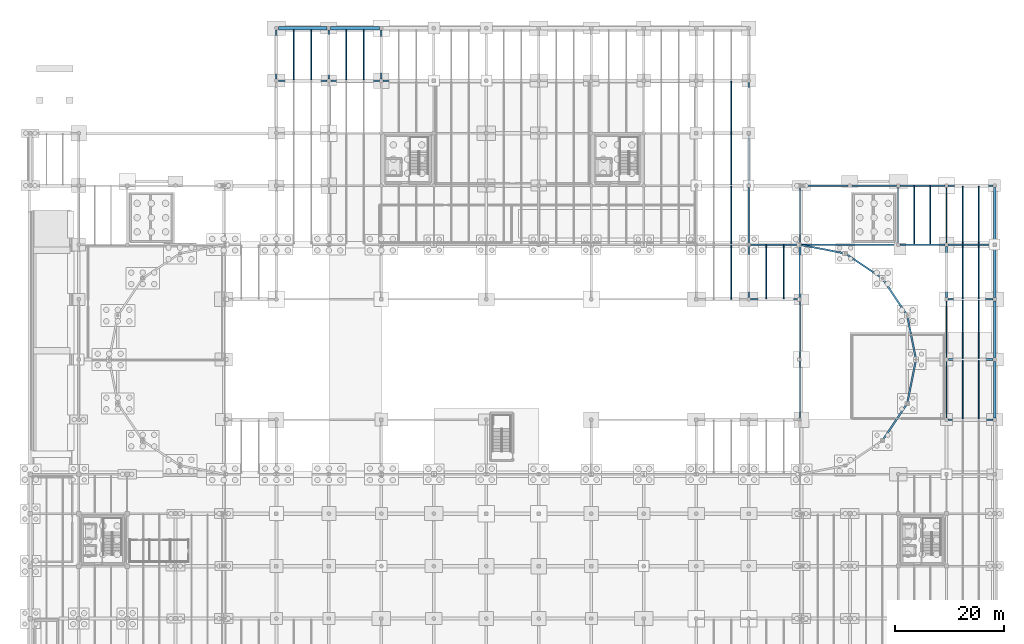
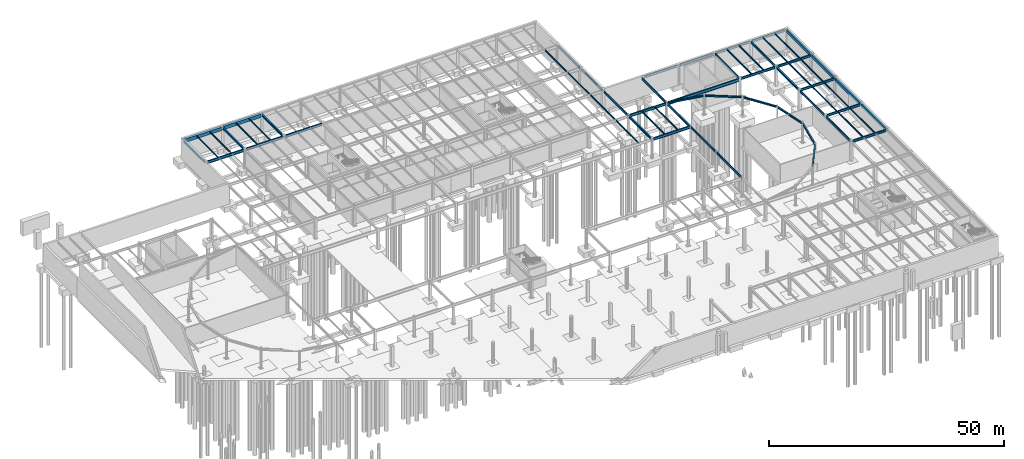
# One storey, part 36 of 50: 63 beams.
"""IFC4 building model written with IfcOpenShell, lengths in metres."""

from ifc_helpers import new_model, si_unit, direction, frame, origin, origin_2d, place, context, subcontext, project, spatial, rectangle, i_section, extrude, material, material_profile, profile_set, type_object, element, save


model = new_model("IFC4")

# Units and contexts
model_context = context("Model", 3, precision=1e-05, world=origin(), true_north=direction((0.0, 1.0)))
body_context = subcontext(model_context, "Body", "Model", "MODEL_VIEW")
ifc_project = project(units=[si_unit("LENGTHUNIT", "METRE"), si_unit("AREAUNIT", "SQUARE_METRE"), si_unit("VOLUMEUNIT", "CUBIC_METRE"), si_unit("PLANEANGLEUNIT", "RADIAN"), si_unit("MASSUNIT", "GRAM", prefix="KILO")], contexts=[model_context])

# Site, building, storey
site_placement = place(None, origin())
site = spatial("IfcSite", under=ifc_project, at=site_placement, CompositionType="ELEMENT")
building_placement = place(site_placement, origin())
building = spatial("IfcBuilding", under=site, at=building_placement, Name="Yeouljin Market Hall", CompositionType="ELEMENT")
storey_placement = place(building_placement, frame((0.0, 0.0, -5.39990234375)))
storey = spatial("IfcBuildingStorey", under=building, at=storey_placement, Name="B1", CompositionType="ELEMENT", Elevation=-5.39990234375)

# Beams
ifc_material_1 = material(Name="Steel SM355", Category="steel")
ifc_material_profile_1 = material_profile(ifc_material_1, i_section(OverallWidth=0.300048828125, OverallDepth=0.43994140625, WebThickness=0.010986328125, FlangeThickness=0.01806640625, FilletRadius=0.02001953125, at=origin_2d()), Name="H-440x300x11x18")
ifc_profile_set_1 = profile_set([ifc_material_profile_1], Name="Steel SM355")
beam_type_1 = type_object("IfcBeamType", Name="Beam_H-440x300x11x18", PredefinedType="BEAM", material=ifc_profile_set_1)
beam_1_placement = place(storey_placement, frame((155.962158203125, 42.31982421875, 4.8798828125), z_axis=(0.555575312274, 0.831466218431, 0.0), x_axis=(-0.831466218431, 0.555575312274, 0.0)))
element("IfcBeam", 1, at=beam_1_placement, inside=storey, type_object=beam_type_1, Name="Apse ring beam L00 278", PredefinedType="BEAM", context=body_context, shape_type="SweptSolid", body=[
    extrude(i_section(OverallWidth=0.300048828125, OverallDepth=0.43994140625, WebThickness=0.010986328125, FlangeThickness=0.01806640625, FilletRadius=0.02001953125, at=origin_2d()), origin(), (0.0, 0.0, 1.0), 7.787353515625),
])
for number, where, z_axis, x_axis, name in (
    (2, (160.441162109375, 49.162841796875, 4.8798828125), (0.195091123781, 0.980785120922, 0.0), (-0.980785120922, 0.195091123781, 0.0), "Apse ring beam L00 279"),
    (3, (161.96044921875, 57.19921875, 4.8798828125), (-0.195091123781, 0.980785120922, 0.0), (-0.980785120922, -0.195091123781, 0.0), "Apse ring beam L00 280"),
):
    element("IfcBeam", number, at=place(storey_placement, frame(where, z_axis=z_axis, x_axis=x_axis)), inside=storey, type_object=beam_type_1, Name=name, PredefinedType="BEAM", context=body_context, shape_type="SweptSolid", body=[
        extrude(i_section(OverallWidth=0.300048828125, OverallDepth=0.43994140625, WebThickness=0.010986328125, FlangeThickness=0.01806640625, FilletRadius=0.02001953125, at=origin_2d()), origin(), (0.0, 0.0, 1.0), 7.78759765625),
    ])
for number, where, z_axis, x_axis, name in (
    (4, (160.28857421875, 65.205322265625, 4.8798828125), (-0.555575312274, 0.831466218431, 0.0), (-0.831466218431, -0.555575312274, 0.0), "Apse ring beam L00 281"),
    (5, (155.68017578125, 71.962158203125, 4.8798828125), (-0.831466218431, 0.555575312274, 0.0), (-0.555575312274, -0.831466218431, 0.0), "Apse ring beam L00 282"),
):
    element("IfcBeam", number, at=place(storey_placement, frame(where, z_axis=z_axis, x_axis=x_axis)), inside=storey, type_object=beam_type_1, Name=name, PredefinedType="BEAM", context=body_context, shape_type="SweptSolid", body=[
        extrude(i_section(OverallWidth=0.300048828125, OverallDepth=0.43994140625, WebThickness=0.010986328125, FlangeThickness=0.01806640625, FilletRadius=0.02001953125, at=origin_2d()), origin(), (0.0, 0.0, 1.0), 7.787353515625),
    ])
beam_2_placement = place(storey_placement, frame((148.8369140625, 76.43994140625, 4.8798828125), z_axis=(-0.981853779067, 0.189639543691, 0.0), x_axis=(-0.189639543691, -0.981853779067, 0.0)))
element("IfcBeam", 6, at=beam_2_placement, inside=storey, type_object=beam_type_1, Name="Apse ring beam L00 283", PredefinedType="BEAM", context=body_context, shape_type="SweptSolid", body=[
    extrude(i_section(OverallWidth=0.300048828125, OverallDepth=0.43994140625, WebThickness=0.010986328125, FlangeThickness=0.01806640625, FilletRadius=0.02001953125, at=origin_2d()), origin(), (0.0, 0.0, 1.0), 8.001220703125),
])
ifc_material_2 = material(Name="Steel SM355", Category="steel")
ifc_material_profile_2 = material_profile(ifc_material_2, i_section(OverallWidth=0.199951171875, OverallDepth=0.60009765625, WebThickness=0.010986328125, FlangeThickness=0.01708984375, FilletRadius=0.02197265625, at=origin_2d()), Name="H-600x200x11x17")
ifc_profile_set_2 = profile_set([ifc_material_profile_2], Name="Steel SM355")
beam_type_2 = type_object("IfcBeamType", Name="Beam_H-600x200x11x17", PredefinedType="BEAM", material=ifc_profile_set_2)
beam_3_placement = place(storey_placement, frame((131.39990234375, 78.22509765625, 4.77978515625), z_axis=(0.0, 1.0, 0.0), x_axis=(-1.0, 0.0, 0.0)))
element("IfcBeam", 7, at=beam_3_placement, inside=storey, type_object=beam_type_2, Name="Primary beam BM-L00-Y226", PredefinedType="BEAM", context=body_context, shape_type="SweptSolid", body=[
    extrude(i_section(OverallWidth=0.199951171875, OverallDepth=0.60009765625, WebThickness=0.010986328125, FlangeThickness=0.01708984375, FilletRadius=0.02197265625, at=origin_2d()), origin(), (0.0, 0.0, 1.0), 10.27490234375),
])
for number, where, z_axis, x_axis, name in (
    (8, (140.81005859375, 46.175048828125, 4.7998046875), (0.0, 1.0, 0.0), (-1.0, 0.0, 0.0), "Primary beam BM-L00-Y235"),
    (9, (140.81005859375, 57.175048828125, 4.7998046875), (0.0, 1.0, 0.0), (-1.0, 0.0, 0.0), "Primary beam BM-L00-Y236"),
):
    element("IfcBeam", number, at=place(storey_placement, frame(where, z_axis=z_axis, x_axis=x_axis)), inside=storey, type_object=beam_type_2, Name=name, PredefinedType="BEAM", context=body_context, shape_type="SweptSolid", body=[
        extrude(i_section(OverallWidth=0.199951171875, OverallDepth=0.60009765625, WebThickness=0.010986328125, FlangeThickness=0.01708984375, FilletRadius=0.02197265625, at=origin_2d()), origin(), (0.0, 0.0, 1.0), 10.64990234375),
    ])
beam_4_placement = place(storey_placement, frame((140.784912109375, 78.22509765625, 4.849853515625), z_axis=(0.0, 1.0, 0.0), x_axis=(-1.0, 0.0, 0.0)))
element("IfcBeam", 10, at=beam_4_placement, inside=storey, type_object=beam_type_2, Name="Primary beam BM-L00-Y238", PredefinedType="BEAM", context=body_context, shape_type="SweptSolid", body=[
    extrude(i_section(OverallWidth=0.199951171875, OverallDepth=0.60009765625, WebThickness=0.010986328125, FlangeThickness=0.01708984375, FilletRadius=0.02197265625, at=origin_2d()), origin(), (0.0, 0.0, 1.0), 10.39990234375),
])
beam_5_placement = place(storey_placement, frame((158.739990234375, 78.35009765625, 4.849853515625), z_axis=(0.0, 1.0, 0.0), x_axis=(-1.0, 0.0, 0.0)))
element("IfcBeam", 11, at=beam_5_placement, inside=storey, type_object=beam_type_2, Name="Primary beam BM-L00-Y249", PredefinedType="BEAM", context=body_context, shape_type="SweptSolid", body=[
    extrude(i_section(OverallWidth=0.199951171875, OverallDepth=0.60009765625, WebThickness=0.010986328125, FlangeThickness=0.01708984375, FilletRadius=0.02197265625, at=origin_2d()), origin(), (0.0, 0.0, 1.0), 10.14990234375),
])
for number, where, z_axis, x_axis, name in (
    (12, (167.570068359375, 46.300048828125, 4.849853515625), (0.0, 1.0, 0.0), (-1.0, 0.0, 0.0), "Primary beam BM-L00-Y255"),
    (13, (167.570068359375, 57.35009765625, 4.849853515625), (0.0, 1.0, 0.0), (-1.0, 0.0, 0.0), "Primary beam BM-L00-Y256"),
):
    element("IfcBeam", number, at=place(storey_placement, frame(where, z_axis=z_axis, x_axis=x_axis)), inside=storey, type_object=beam_type_2, Name=name, PredefinedType="BEAM", context=body_context, shape_type="SweptSolid", body=[
        extrude(i_section(OverallWidth=0.199951171875, OverallDepth=0.60009765625, WebThickness=0.010986328125, FlangeThickness=0.01708984375, FilletRadius=0.02197265625, at=origin_2d()), origin(), (0.0, 0.0, 1.0), 10.349853515625),
    ])
beam_6_placement = place(storey_placement, frame((167.570068359375, 78.300048828125, 4.849853515625), z_axis=(0.0, 1.0, 0.0), x_axis=(-1.0, 0.0, 0.0)))
element("IfcBeam", 14, at=beam_6_placement, inside=storey, type_object=beam_type_2, Name="Primary beam BM-L00-Y258", PredefinedType="BEAM", context=body_context, shape_type="SweptSolid", body=[
    extrude(i_section(OverallWidth=0.199951171875, OverallDepth=0.60009765625, WebThickness=0.010986328125, FlangeThickness=0.01708984375, FilletRadius=0.02197265625, at=origin_2d()), origin(), (0.0, 0.0, 1.0), 10.199951171875),
])
ifc_material_3 = material(Name="Concrete C30/37", Category="concrete")
ifc_material_profile_3 = material_profile(ifc_material_3, rectangle(XDim=0.5, YDim=0.800048828125, at=origin_2d()), Name="RC-500x800")
ifc_profile_set_3 = profile_set([ifc_material_profile_3], Name="Concrete C30/37")
beam_type_3 = type_object("IfcBeamType", Name="Beam_RC-500x800", PredefinedType="BEAM", material=ifc_profile_set_3)
for number, where, z_axis, x_axis, name in (
    (15, (176.39990234375, 46.300048828125, 4.75), (0.0, 1.0, 0.0), (-1.0, 0.0, 0.0), "Primary beam BM-L00-Y264"),
    (16, (176.39990234375, 57.35009765625, 4.75), (0.0, 1.0, 0.0), (-1.0, 0.0, 0.0), "Primary beam BM-L00-Y265"),
):
    element("IfcBeam", number, at=place(storey_placement, frame(where, z_axis=z_axis, x_axis=x_axis)), inside=storey, type_object=beam_type_3, Name=name, PredefinedType="BEAM", context=body_context, shape_type="SweptSolid", body=[
        extrude(rectangle(XDim=0.5, YDim=0.800048828125, at=origin_2d()), origin(), (0.0, 0.0, 1.0), 10.349853515625),
    ])
beam_7_placement = place(storey_placement, frame((176.39990234375, 68.300048828125, 4.75), z_axis=(0.0, 1.0, 0.0), x_axis=(-1.0, 0.0, 0.0)))
element("IfcBeam", 17, at=beam_7_placement, inside=storey, type_object=beam_type_3, Name="Primary beam BM-L00-Y266", PredefinedType="BEAM", context=body_context, shape_type="SweptSolid", body=[
    extrude(rectangle(XDim=0.5, YDim=0.800048828125, at=origin_2d()), origin(), (0.0, 0.0, 1.0), 9.39990234375),
])
beam_8_placement = place(storey_placement, frame((176.39990234375, 78.300048828125, 4.75), z_axis=(0.0, 1.0, 0.0), x_axis=(-1.0, 0.0, 0.0)))
element("IfcBeam", 18, at=beam_8_placement, inside=storey, type_object=beam_type_3, Name="Primary beam BM-L00-Y267", PredefinedType="BEAM", context=body_context, shape_type="SweptSolid", body=[
    extrude(rectangle(XDim=0.5, YDim=0.800048828125, at=origin_2d()), origin(), (0.0, 0.0, 1.0), 10.14990234375),
])
ifc_material_4 = material(Name="Steel SM355", Category="steel")
ifc_material_profile_4 = material_profile(ifc_material_4, i_section(OverallWidth=0.300048828125, OverallDepth=0.587890625, WebThickness=0.011962890625, FlangeThickness=0.02001953125, FilletRadius=0.02392578125, at=origin_2d()), Name="H-588x300x12x20")
ifc_profile_set_4 = profile_set([ifc_material_profile_4], Name="Steel SM355")
beam_type_4 = type_object("IfcBeamType", Name="Girder_H-588x300x12x20", PredefinedType="USERDEFINED", material=ifc_profile_set_4)
beam_9_placement = place(storey_placement, frame((167.8701171875, 46.0, 4.85595703125), z_axis=(1.0, 0.0, 0.0), x_axis=(0.0, 1.0, 0.0)))
element("IfcBeam", 19, at=beam_9_placement, inside=storey, type_object=beam_type_4, Name="Primary girder GRD-L00-X066", ObjectType="GIRDER", PredefinedType="USERDEFINED", context=body_context, shape_type="SweptSolid", body=[
    extrude(i_section(OverallWidth=0.300048828125, OverallDepth=0.587890625, WebThickness=0.011962890625, FlangeThickness=0.02001953125, FilletRadius=0.02392578125, at=origin_2d()), origin(), (0.0, 0.0, 1.0), 8.22998046875),
])
beam_10_placement = place(storey_placement, frame((167.919921875, 57.0, 4.85595703125), z_axis=(1.0, 0.0, 0.0), x_axis=(0.0, 1.0, 0.0)))
element("IfcBeam", 20, at=beam_10_placement, inside=storey, type_object=beam_type_4, Name="Primary girder GRD-L00-X067", ObjectType="GIRDER", PredefinedType="USERDEFINED", context=body_context, shape_type="SweptSolid", body=[
    extrude(i_section(OverallWidth=0.300048828125, OverallDepth=0.587890625, WebThickness=0.011962890625, FlangeThickness=0.02001953125, FilletRadius=0.02392578125, at=origin_2d()), origin(), (0.0, 0.0, 1.0), 8.130126953125),
])
beam_11_placement = place(storey_placement, frame((167.8701171875, 68.0, 4.85595703125), z_axis=(1.0, 0.0, 0.0), x_axis=(0.0, 1.0, 0.0)))
element("IfcBeam", 21, at=beam_11_placement, inside=storey, type_object=beam_type_4, Name="Primary girder GRD-L00-X075", ObjectType="GIRDER", PredefinedType="USERDEFINED", context=body_context, shape_type="SweptSolid", body=[
    extrude(i_section(OverallWidth=0.300048828125, OverallDepth=0.587890625, WebThickness=0.011962890625, FlangeThickness=0.02001953125, FilletRadius=0.02392578125, at=origin_2d()), origin(), (0.0, 0.0, 1.0), 8.22998046875),
])
beam_12_placement = place(storey_placement, frame((159.090087890625, 78.0, 4.85595703125), z_axis=(1.0, 0.0, 0.0), x_axis=(0.0, 1.0, 0.0)))
element("IfcBeam", 22, at=beam_12_placement, inside=storey, type_object=beam_type_4, Name="Primary girder GRD-L00-X090", ObjectType="GIRDER", PredefinedType="USERDEFINED", context=body_context, shape_type="SweptSolid", body=[
    extrude(i_section(OverallWidth=0.300048828125, OverallDepth=0.587890625, WebThickness=0.011962890625, FlangeThickness=0.02001953125, FilletRadius=0.02392578125, at=origin_2d()), origin(), (0.0, 0.0, 1.0), 8.179931640625),
])
beam_13_placement = place(storey_placement, frame((167.8701171875, 78.0, 4.85595703125), z_axis=(1.0, 0.0, 0.0), x_axis=(0.0, 1.0, 0.0)))
element("IfcBeam", 23, at=beam_13_placement, inside=storey, type_object=beam_type_4, Name="Primary girder GRD-L00-X091", ObjectType="GIRDER", PredefinedType="USERDEFINED", context=body_context, shape_type="SweptSolid", body=[
    extrude(i_section(OverallWidth=0.300048828125, OverallDepth=0.587890625, WebThickness=0.011962890625, FlangeThickness=0.02001953125, FilletRadius=0.02392578125, at=origin_2d()), origin(), (0.0, 0.0, 1.0), 8.22998046875),
])
beam_14_placement = place(storey_placement, frame((141.445068359375, 88.800048828125, 4.85595703125), z_axis=(1.0, 0.0, 0.0), x_axis=(0.0, 1.0, 0.0)))
element("IfcBeam", 24, at=beam_14_placement, inside=storey, type_object=beam_type_4, Name="Primary girder GRD-L00-X105", ObjectType="GIRDER", PredefinedType="USERDEFINED", context=body_context, shape_type="SweptSolid", body=[
    extrude(i_section(OverallWidth=0.300048828125, OverallDepth=0.587890625, WebThickness=0.011962890625, FlangeThickness=0.02001953125, FilletRadius=0.02392578125, at=origin_2d()), origin(), (0.0, 0.0, 1.0), 8.114990234375),
])
beam_15_placement = place(storey_placement, frame((150.260009765625, 88.800048828125, 4.85595703125), z_axis=(1.0, 0.0, 0.0), x_axis=(0.0, 1.0, 0.0)))
element("IfcBeam", 25, at=beam_15_placement, inside=storey, type_object=beam_type_4, Name="Primary girder GRD-L00-X106", ObjectType="GIRDER", PredefinedType="USERDEFINED", context=body_context, shape_type="SweptSolid", body=[
    extrude(i_section(OverallWidth=0.300048828125, OverallDepth=0.587890625, WebThickness=0.011962890625, FlangeThickness=0.02001953125, FilletRadius=0.02392578125, at=origin_2d()), origin(), (0.0, 0.0, 1.0), 8.179931640625),
])
beam_16_placement = place(storey_placement, frame((159.0400390625, 88.800048828125, 4.85595703125), z_axis=(1.0, 0.0, 0.0), x_axis=(0.0, 1.0, 0.0)))
element("IfcBeam", 26, at=beam_16_placement, inside=storey, type_object=beam_type_4, Name="Primary girder GRD-L00-X107", ObjectType="GIRDER", PredefinedType="USERDEFINED", context=body_context, shape_type="SweptSolid", body=[
    extrude(i_section(OverallWidth=0.300048828125, OverallDepth=0.587890625, WebThickness=0.011962890625, FlangeThickness=0.02001953125, FilletRadius=0.02392578125, at=origin_2d()), origin(), (0.0, 0.0, 1.0), 8.22998046875),
])
beam_17_placement = place(storey_placement, frame((167.8701171875, 88.800048828125, 4.85595703125), z_axis=(1.0, 0.0, 0.0), x_axis=(0.0, 1.0, 0.0)))
element("IfcBeam", 27, at=beam_17_placement, inside=storey, type_object=beam_type_4, Name="Primary girder GRD-L00-X108", ObjectType="GIRDER", PredefinedType="USERDEFINED", context=body_context, shape_type="SweptSolid", body=[
    extrude(i_section(OverallWidth=0.300048828125, OverallDepth=0.587890625, WebThickness=0.011962890625, FlangeThickness=0.02001953125, FilletRadius=0.02392578125, at=origin_2d()), origin(), (0.0, 0.0, 1.0), 8.179931640625),
])
beam_18_placement = place(storey_placement, frame((45.0, 108.35009765625, 4.765869140625), z_axis=(0.0, 1.0, 0.0), x_axis=(-1.0, 0.0, 0.0)))
element("IfcBeam", 28, at=beam_18_placement, inside=storey, type_object=beam_type_4, Name="Primary beam BM-L00-Y178", ObjectType="GIRDER", PredefinedType="USERDEFINED", context=body_context, shape_type="SweptSolid", body=[
    extrude(i_section(OverallWidth=0.300048828125, OverallDepth=0.587890625, WebThickness=0.011962890625, FlangeThickness=0.02001953125, FilletRadius=0.02392578125, at=origin_2d()), origin(), (0.0, 0.0, 1.0), 8.89990234375),
])
beam_19_placement = place(storey_placement, frame((54.60009765625, 108.35009765625, 4.765869140625), z_axis=(0.0, 1.0, 0.0), x_axis=(-1.0, 0.0, 0.0)))
element("IfcBeam", 29, at=beam_19_placement, inside=storey, type_object=beam_type_4, Name="Primary beam BM-L00-Y183", ObjectType="GIRDER", PredefinedType="USERDEFINED", context=body_context, shape_type="SweptSolid", body=[
    extrude(i_section(OverallWidth=0.300048828125, OverallDepth=0.587890625, WebThickness=0.011962890625, FlangeThickness=0.02001953125, FilletRadius=0.02392578125, at=origin_2d()), origin(), (0.0, 0.0, 1.0), 8.949951171875),
])
beam_20_placement = place(storey_placement, frame((64.199951171875, 108.300048828125, 4.785888671875), z_axis=(0.0, 1.0, 0.0), x_axis=(-1.0, 0.0, 0.0)))
element("IfcBeam", 30, at=beam_20_placement, inside=storey, type_object=beam_type_4, Name="Primary beam BM-L00-Y190", ObjectType="GIRDER", PredefinedType="USERDEFINED", context=body_context, shape_type="SweptSolid", body=[
    extrude(i_section(OverallWidth=0.300048828125, OverallDepth=0.587890625, WebThickness=0.011962890625, FlangeThickness=0.02001953125, FilletRadius=0.02392578125, at=origin_2d()), origin(), (0.0, 0.0, 1.0), 9.0),
])
beam_21_placement = place(storey_placement, frame((131.39990234375, 68.35009765625, 4.825927734375), z_axis=(0.0, 1.0, 0.0), x_axis=(-1.0, 0.0, 0.0)))
element("IfcBeam", 31, at=beam_21_placement, inside=storey, type_object=beam_type_4, Name="Primary beam BM-L00-Y225", ObjectType="GIRDER", PredefinedType="USERDEFINED", context=body_context, shape_type="SweptSolid", body=[
    extrude(i_section(OverallWidth=0.300048828125, OverallDepth=0.587890625, WebThickness=0.011962890625, FlangeThickness=0.02001953125, FilletRadius=0.02392578125, at=origin_2d()), origin(), (0.0, 0.0, 1.0), 9.4248046875),
])
beam_22_placement = place(storey_placement, frame((131.39990234375, 89.10009765625, 4.785888671875), z_axis=(0.0, 1.0, 0.0), x_axis=(-1.0, 0.0, 0.0)))
element("IfcBeam", 32, at=beam_22_placement, inside=storey, type_object=beam_type_4, Name="Primary beam BM-L00-Y227", ObjectType="GIRDER", PredefinedType="USERDEFINED", context=body_context, shape_type="SweptSolid", body=[
    extrude(i_section(OverallWidth=0.300048828125, OverallDepth=0.587890625, WebThickness=0.011962890625, FlangeThickness=0.02001953125, FilletRadius=0.02392578125, at=origin_2d()), origin(), (0.0, 0.0, 1.0), 9.0),
])
beam_23_placement = place(storey_placement, frame((131.39990234375, 98.699951171875, 4.785888671875), z_axis=(0.0, 1.0, 0.0), x_axis=(-1.0, 0.0, 0.0)))
element("IfcBeam", 33, at=beam_23_placement, inside=storey, type_object=beam_type_4, Name="Primary beam BM-L00-Y228", ObjectType="GIRDER", PredefinedType="USERDEFINED", context=body_context, shape_type="SweptSolid", body=[
    extrude(i_section(OverallWidth=0.300048828125, OverallDepth=0.587890625, WebThickness=0.011962890625, FlangeThickness=0.02001953125, FilletRadius=0.02392578125, at=origin_2d()), origin(), (0.0, 0.0, 1.0), 8.949951171875),
])
beam_24_placement = place(storey_placement, frame((140.784912109375, 68.175048828125, 4.805908203125), z_axis=(0.0, 1.0, 0.0), x_axis=(-1.0, 0.0, 0.0)))
element("IfcBeam", 34, at=beam_24_placement, inside=storey, type_object=beam_type_4, Name="Primary beam BM-L00-Y237", ObjectType="GIRDER", PredefinedType="USERDEFINED", context=body_context, shape_type="SweptSolid", body=[
    extrude(i_section(OverallWidth=0.300048828125, OverallDepth=0.587890625, WebThickness=0.011962890625, FlangeThickness=0.02001953125, FilletRadius=0.02392578125, at=origin_2d()), origin(), (0.0, 0.0, 1.0), 9.599853515625),
])
beam_25_placement = place(storey_placement, frame((167.570068359375, 68.300048828125, 4.85595703125), z_axis=(0.0, 1.0, 0.0), x_axis=(-1.0, 0.0, 0.0)))
element("IfcBeam", 35, at=beam_25_placement, inside=storey, type_object=beam_type_4, Name="Primary beam BM-L00-Y257", ObjectType="GIRDER", PredefinedType="USERDEFINED", context=body_context, shape_type="SweptSolid", body=[
    extrude(i_section(OverallWidth=0.300048828125, OverallDepth=0.587890625, WebThickness=0.011962890625, FlangeThickness=0.02001953125, FilletRadius=0.02392578125, at=origin_2d()), origin(), (0.0, 0.0, 1.0), 9.39990234375),
])
ifc_material_5 = material(Name="Steel SM355", Category="steel")
ifc_material_profile_5 = material_profile(ifc_material_5, i_section(OverallWidth=0.300048828125, OverallDepth=0.699951171875, WebThickness=0.012939453125, FlangeThickness=0.02392578125, FilletRadius=0.02587890625, at=origin_2d()), Name="H-700x300x13x24")
ifc_profile_set_5 = profile_set([ifc_material_profile_5], Name="Steel SM355")
beam_type_5 = type_object("IfcBeamType", Name="Girder_H-700x300x13x24", PredefinedType="USERDEFINED", material=ifc_profile_set_5)
beam_26_placement = place(storey_placement, frame((131.75, 68.0, 4.77001953125), z_axis=(1.0, 0.0, 0.0), x_axis=(0.0, 1.0, 0.0)))
element("IfcBeam", 36, at=beam_26_placement, inside=storey, type_object=beam_type_5, Name="Primary girder GRD-L00-X074", ObjectType="GIRDER", PredefinedType="USERDEFINED", context=body_context, shape_type="SweptSolid", body=[
    extrude(i_section(OverallWidth=0.300048828125, OverallDepth=0.699951171875, WebThickness=0.012939453125, FlangeThickness=0.02392578125, FilletRadius=0.02587890625, at=origin_2d()), origin(), (0.0, 0.0, 1.0), 8.885009765625),
])
beam_27_placement = place(storey_placement, frame((131.625, 78.0, 4.77001953125), z_axis=(1.0, 0.0, 0.0), x_axis=(0.0, 1.0, 0.0)))
element("IfcBeam", 37, at=beam_27_placement, inside=storey, type_object=beam_type_5, Name="Primary girder GRD-L00-X088", ObjectType="GIRDER", PredefinedType="USERDEFINED", context=body_context, shape_type="SweptSolid", body=[
    extrude(i_section(OverallWidth=0.300048828125, OverallDepth=0.699951171875, WebThickness=0.012939453125, FlangeThickness=0.02392578125, FilletRadius=0.02587890625, at=origin_2d()), origin(), (0.0, 0.0, 1.0), 8.909912109375),
])
beam_28_placement = place(storey_placement, frame((45.35009765625, 108.0, 4.7099609375), z_axis=(1.0, 0.0, 0.0), x_axis=(0.0, 1.0, 0.0)))
element("IfcBeam", 38, at=beam_28_placement, inside=storey, type_object=beam_type_5, Name="Primary girder GRD-L00-X119", ObjectType="GIRDER", PredefinedType="USERDEFINED", context=body_context, shape_type="SweptSolid", body=[
    extrude(i_section(OverallWidth=0.300048828125, OverallDepth=0.699951171875, WebThickness=0.012939453125, FlangeThickness=0.02392578125, FilletRadius=0.02587890625, at=origin_2d()), origin(), (0.0, 0.0, 1.0), 8.89990234375),
])
beam_29_placement = place(storey_placement, frame((54.949951171875, 108.0, 4.72998046875), z_axis=(1.0, 0.0, 0.0), x_axis=(0.0, 1.0, 0.0)))
element("IfcBeam", 39, at=beam_29_placement, inside=storey, type_object=beam_type_5, Name="Primary girder GRD-L00-X120", ObjectType="GIRDER", PredefinedType="USERDEFINED", context=body_context, shape_type="SweptSolid", body=[
    extrude(i_section(OverallWidth=0.300048828125, OverallDepth=0.699951171875, WebThickness=0.012939453125, FlangeThickness=0.02392578125, FilletRadius=0.02587890625, at=origin_2d()), origin(), (0.0, 0.0, 1.0), 8.949951171875),
])
beam_30_placement = place(storey_placement, frame((64.5, 108.0, 4.72998046875), z_axis=(1.0, 0.0, 0.0), x_axis=(0.0, 1.0, 0.0)))
element("IfcBeam", 40, at=beam_30_placement, inside=storey, type_object=beam_type_5, Name="Primary girder GRD-L00-X121", ObjectType="GIRDER", PredefinedType="USERDEFINED", context=body_context, shape_type="SweptSolid", body=[
    extrude(i_section(OverallWidth=0.300048828125, OverallDepth=0.699951171875, WebThickness=0.012939453125, FlangeThickness=0.02392578125, FilletRadius=0.02587890625, at=origin_2d()), origin(), (0.0, 0.0, 1.0), 9.0),
])
ifc_material_6 = material(Name="Steel SM355", Category="steel")
ifc_material_profile_6 = material_profile(ifc_material_6, i_section(OverallWidth=0.300048828125, OverallDepth=0.800048828125, WebThickness=0.013916015625, FlangeThickness=0.02587890625, FilletRadius=0.028076171875, at=origin_2d()), Name="H-800x300x14x26")
ifc_profile_set_6 = profile_set([ifc_material_profile_6], Name="Steel SM355")
beam_type_6 = type_object("IfcBeamType", Name="Girder_H-800x300x14x26", PredefinedType="USERDEFINED", material=ifc_profile_set_6)
beam_31_placement = place(storey_placement, frame((140.985107421875, 78.0, 4.699951171875), z_axis=(1.0, 0.0, 0.0), x_axis=(0.0, 1.0, 0.0)))
element("IfcBeam", 41, at=beam_31_placement, inside=storey, type_object=beam_type_6, Name="Primary girder GRD-L00-X089", ObjectType="GIRDER", PredefinedType="USERDEFINED", context=body_context, shape_type="SweptSolid", body=[
    extrude(i_section(OverallWidth=0.300048828125, OverallDepth=0.800048828125, WebThickness=0.013916015625, FlangeThickness=0.02587890625, FilletRadius=0.028076171875, at=origin_2d()), origin(), (0.0, 0.0, 1.0), 17.40478515625),
])
ifc_material_7 = material(Name="Concrete C35/45", Category="concrete")
ifc_material_profile_7 = material_profile(ifc_material_7, rectangle(XDim=0.60009765625, YDim=0.89990234375, at=origin_2d()), Name="RC-600x900")
ifc_profile_set_7 = profile_set([ifc_material_profile_7], Name="Concrete C35/45")
beam_type_7 = type_object("IfcBeamType", Name="Girder_RC-600x900", PredefinedType="USERDEFINED", material=ifc_profile_set_7)
beam_32_placement = place(storey_placement, frame((45.35009765625, 117.60009765625, 4.60986328125), z_axis=(1.0, 0.0, 0.0), x_axis=(0.0, 1.0, 0.0)))
element("IfcBeam", 42, at=beam_32_placement, inside=storey, type_object=beam_type_7, Name="Primary girder GRD-L00-X128", ObjectType="GIRDER", PredefinedType="USERDEFINED", context=body_context, shape_type="SweptSolid", body=[
    extrude(rectangle(XDim=0.60009765625, YDim=0.89990234375, at=origin_2d()), origin(), (0.0, 0.0, 1.0), 8.949951171875),
])
beam_33_placement = place(storey_placement, frame((54.89990234375, 117.60009765625, 4.6298828125), z_axis=(1.0, 0.0, 0.0), x_axis=(0.0, 1.0, 0.0)))
element("IfcBeam", 43, at=beam_33_placement, inside=storey, type_object=beam_type_7, Name="Primary girder GRD-L00-X129", ObjectType="GIRDER", PredefinedType="USERDEFINED", context=body_context, shape_type="SweptSolid", body=[
    extrude(rectangle(XDim=0.60009765625, YDim=0.89990234375, at=origin_2d()), origin(), (0.0, 0.0, 1.0), 9.0),
])
ifc_material_8 = material(Name="Steel SM355", Category="steel")
ifc_material_profile_8 = material_profile(ifc_material_8, i_section(OverallWidth=0.175048828125, OverallDepth=0.35009765625, WebThickness=0.007080078125, FlangeThickness=0.010986328125, FilletRadius=0.013916015625, at=origin_2d()), Name="H-350x175x7x11")
ifc_profile_set_8 = profile_set([ifc_material_profile_8], Name="Steel SM355")
beam_type_8 = type_object("IfcBeamType", Name="Joist_H-350x175x7x11", PredefinedType="JOIST", material=ifc_profile_set_8)
for number, where, z_axis, x_axis, name in (
    (44, (48.199951171875, 108.14697265625, 4.885009765625), (0.0, 1.0, 0.0), (-1.0, 0.0, 0.0), "Secondary floor joist L00-045"),
    (45, (51.39990234375, 108.14697265625, 4.885009765625), (0.0, 1.0, 0.0), (-1.0, 0.0, 0.0), "Secondary floor joist L00-046"),
    (46, (57.800048828125, 108.14697265625, 4.90478515625), (0.0, 1.0, 0.0), (-1.0, 0.0, 0.0), "Secondary floor joist L00-053"),
    (47, (61.0, 108.14697265625, 4.90478515625), (0.0, 1.0, 0.0), (-1.0, 0.0, 0.0), "Secondary floor joist L00-054"),
):
    element("IfcBeam", number, at=place(storey_placement, frame(where, z_axis=z_axis, x_axis=x_axis)), inside=storey, type_object=beam_type_8, Name=name, PredefinedType="JOIST", context=body_context, shape_type="SweptSolid", body=[
        extrude(i_section(OverallWidth=0.175048828125, OverallDepth=0.35009765625, WebThickness=0.007080078125, FlangeThickness=0.010986328125, FilletRadius=0.013916015625, at=origin_2d()), origin(), (0.0, 0.0, 1.0), 9.156005859375),
    ])
beam_34_placement = place(storey_placement, frame((128.199951171875, 68.006103515625, 4.90478515625), z_axis=(0.0, 1.0, 0.0), x_axis=(-1.0, 0.0, 0.0)))
element("IfcBeam", 48, at=beam_34_placement, inside=storey, type_object=beam_type_8, Name="Secondary floor joist L00-104", PredefinedType="JOIST", context=body_context, shape_type="SweptSolid", body=[
    extrude(i_section(OverallWidth=0.175048828125, OverallDepth=0.35009765625, WebThickness=0.007080078125, FlangeThickness=0.010986328125, FilletRadius=0.013916015625, at=origin_2d()), origin(), (0.0, 0.0, 1.0), 9.846923828125),
])
beam_35_placement = place(storey_placement, frame((128.199951171875, 78.14697265625, 4.90478515625), z_axis=(0.0, 1.0, 0.0), x_axis=(-1.0, 0.0, 0.0)))
element("IfcBeam", 49, at=beam_35_placement, inside=storey, type_object=beam_type_8, Name="Secondary floor joist L00-106", PredefinedType="JOIST", context=body_context, shape_type="SweptSolid", body=[
    extrude(i_section(OverallWidth=0.175048828125, OverallDepth=0.35009765625, WebThickness=0.007080078125, FlangeThickness=0.010986328125, FilletRadius=0.013916015625, at=origin_2d()), origin(), (0.0, 0.0, 1.0), 10.506103515625),
])
beam_36_placement = place(storey_placement, frame((128.199951171875, 88.947021484375, 4.90478515625), z_axis=(0.0, 1.0, 0.0), x_axis=(-1.0, 0.0, 0.0)))
element("IfcBeam", 50, at=beam_36_placement, inside=storey, type_object=beam_type_8, Name="Secondary floor joist L00-108", PredefinedType="JOIST", context=body_context, shape_type="SweptSolid", body=[
    extrude(i_section(OverallWidth=0.175048828125, OverallDepth=0.35009765625, WebThickness=0.007080078125, FlangeThickness=0.010986328125, FilletRadius=0.013916015625, at=origin_2d()), origin(), (0.0, 0.0, 1.0), 9.305908203125),
])
beam_37_placement = place(storey_placement, frame((128.199951171875, 98.406005859375, 4.885009765625), z_axis=(0.0, 1.0, 0.0), x_axis=(-1.0, 0.0, 0.0)))
element("IfcBeam", 51, at=beam_37_placement, inside=storey, type_object=beam_type_8, Name="Secondary floor joist L00-110", PredefinedType="JOIST", context=body_context, shape_type="SweptSolid", body=[
    extrude(i_section(OverallWidth=0.175048828125, OverallDepth=0.35009765625, WebThickness=0.007080078125, FlangeThickness=0.010986328125, FilletRadius=0.013916015625, at=origin_2d()), origin(), (0.0, 0.0, 1.0), 9.447021484375),
])
for number, where, z_axis, x_axis, name in (
    (52, (134.60009765625, 68.14697265625, 4.94482421875), (0.0, 1.0, 0.0), (-1.0, 0.0, 0.0), "Secondary floor joist L00-117"),
    (53, (137.800048828125, 68.14697265625, 4.94482421875), (0.0, 1.0, 0.0), (-1.0, 0.0, 0.0), "Secondary floor joist L00-118"),
):
    element("IfcBeam", number, at=place(storey_placement, frame(where, z_axis=z_axis, x_axis=x_axis)), inside=storey, type_object=beam_type_8, Name=name, PredefinedType="JOIST", context=body_context, shape_type="SweptSolid", body=[
        extrude(i_section(OverallWidth=0.175048828125, OverallDepth=0.35009765625, WebThickness=0.007080078125, FlangeThickness=0.010986328125, FilletRadius=0.013916015625, at=origin_2d()), origin(), (0.0, 0.0, 1.0), 9.7060546875),
    ])
for number, where, z_axis, x_axis, name in (
    (54, (161.683349609375, 78.14697265625, 4.974853515625), (0.0, 1.0, 0.0), (-1.0, 0.0, 0.0), "Secondary floor joist L00-137"),
    (55, (164.626708984375, 78.14697265625, 4.974853515625), (0.0, 1.0, 0.0), (-1.0, 0.0, 0.0), "Secondary floor joist L00-138"),
):
    element("IfcBeam", number, at=place(storey_placement, frame(where, z_axis=z_axis, x_axis=x_axis)), inside=storey, type_object=beam_type_8, Name=name, PredefinedType="JOIST", context=body_context, shape_type="SweptSolid", body=[
        extrude(i_section(OverallWidth=0.175048828125, OverallDepth=0.35009765625, WebThickness=0.007080078125, FlangeThickness=0.010986328125, FilletRadius=0.013916015625, at=origin_2d()), origin(), (0.0, 0.0, 1.0), 10.506103515625),
    ])
for number, where, z_axis, x_axis, name in (
    (56, (170.51318359375, 46.14697265625, 4.974853515625), (0.0, 1.0, 0.0), (-1.0, 0.0, 0.0), "Secondary floor joist L00-148"),
    (57, (173.456787109375, 46.14697265625, 4.974853515625), (0.0, 1.0, 0.0), (-1.0, 0.0, 0.0), "Secondary floor joist L00-149"),
    (58, (170.51318359375, 57.14697265625, 4.974853515625), (0.0, 1.0, 0.0), (-1.0, 0.0, 0.0), "Secondary floor joist L00-150"),
    (59, (173.456787109375, 57.14697265625, 4.974853515625), (0.0, 1.0, 0.0), (-1.0, 0.0, 0.0), "Secondary floor joist L00-151"),
):
    element("IfcBeam", number, at=place(storey_placement, frame(where, z_axis=z_axis, x_axis=x_axis)), inside=storey, type_object=beam_type_8, Name=name, PredefinedType="JOIST", context=body_context, shape_type="SweptSolid", body=[
        extrude(i_section(OverallWidth=0.175048828125, OverallDepth=0.35009765625, WebThickness=0.007080078125, FlangeThickness=0.010986328125, FilletRadius=0.013916015625, at=origin_2d()), origin(), (0.0, 0.0, 1.0), 10.7060546875),
    ])
for number, where, z_axis, x_axis, name in (
    (60, (170.51318359375, 68.14697265625, 4.974853515625), (0.0, 1.0, 0.0), (-1.0, 0.0, 0.0), "Secondary floor joist L00-152"),
    (61, (173.456787109375, 68.14697265625, 4.974853515625), (0.0, 1.0, 0.0), (-1.0, 0.0, 0.0), "Secondary floor joist L00-153"),
):
    element("IfcBeam", number, at=place(storey_placement, frame(where, z_axis=z_axis, x_axis=x_axis)), inside=storey, type_object=beam_type_8, Name=name, PredefinedType="JOIST", context=body_context, shape_type="SweptSolid", body=[
        extrude(i_section(OverallWidth=0.175048828125, OverallDepth=0.35009765625, WebThickness=0.007080078125, FlangeThickness=0.010986328125, FilletRadius=0.013916015625, at=origin_2d()), origin(), (0.0, 0.0, 1.0), 9.7060546875),
    ])
for number, where, z_axis, x_axis, name in (
    (62, (170.51318359375, 78.14697265625, 4.974853515625), (0.0, 1.0, 0.0), (-1.0, 0.0, 0.0), "Secondary floor joist L00-154"),
    (63, (173.456787109375, 78.14697265625, 4.974853515625), (0.0, 1.0, 0.0), (-1.0, 0.0, 0.0), "Secondary floor joist L00-155"),
):
    element("IfcBeam", number, at=place(storey_placement, frame(where, z_axis=z_axis, x_axis=x_axis)), inside=storey, type_object=beam_type_8, Name=name, PredefinedType="JOIST", context=body_context, shape_type="SweptSolid", body=[
        extrude(i_section(OverallWidth=0.175048828125, OverallDepth=0.35009765625, WebThickness=0.007080078125, FlangeThickness=0.010986328125, FilletRadius=0.013916015625, at=origin_2d()), origin(), (0.0, 0.0, 1.0), 10.506103515625),
    ])

save(model, "model.ifc")
